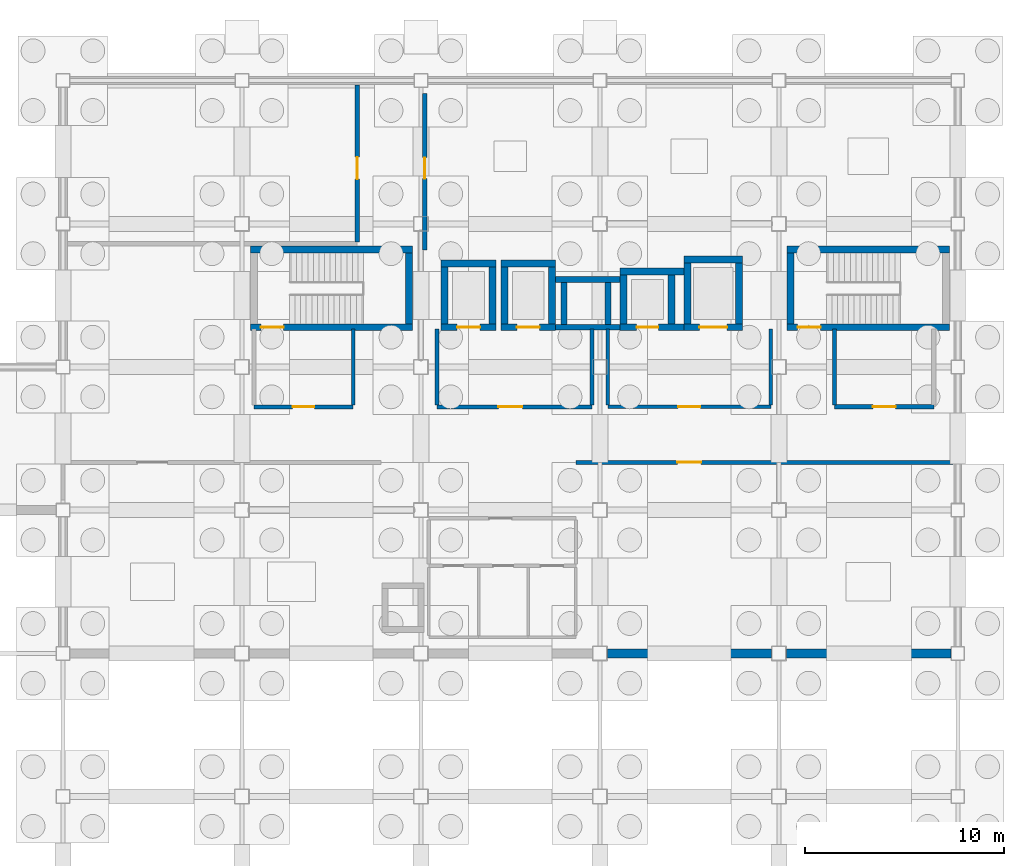
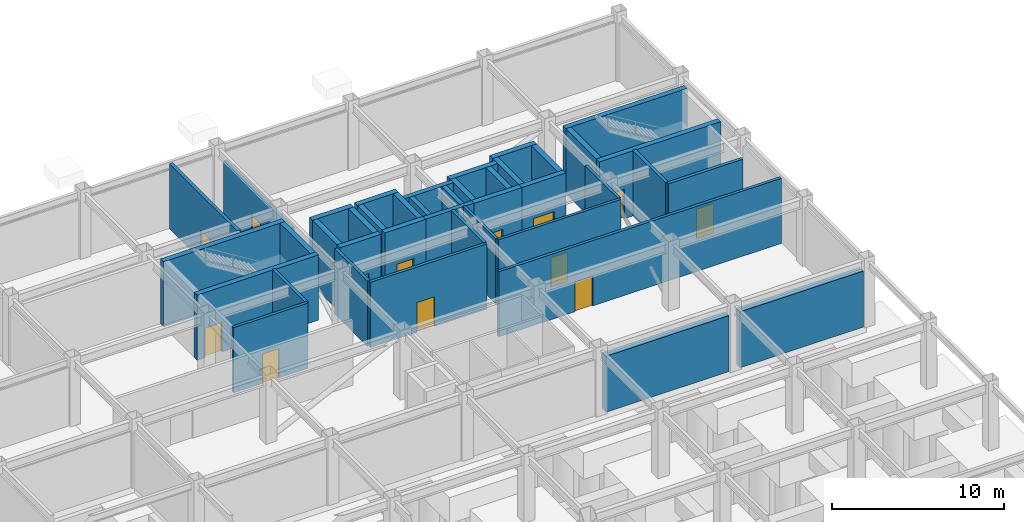
# One storey, part 24 of 28: 41 walls, 13 doors, 13 openings.
"""IFC4 building model written with IfcOpenShell, lengths in metres."""

import ifcopenshell
import ifcopenshell.guid

model = None  # the IFC model being written
_history = None  # IfcOwnerHistory: only IFC2X3 demands one
_inside = {}  # id of a spatial element -> (the spatial element, [elements in it])
_under = {}  # id of a project, library or spatial element -> (it, [spatial elements below it])
_declared = {}  # id of a project -> (the project, [libraries it declares])
_typed = {}  # id of a type object -> (the type object, [elements of that type])
_made_of = {}  # id of a material, layer set ... -> (it, [elements and type objects made of it])


def new_model(schema):
    """Start an empty IFC model of exactly this schema.

    Asked for "IFC4X3", IfcOpenShell would pick the latest addendum, in which some entities
    have other attributes; the version numbers below select the first issue.
    IFC2X3 requires an IfcOwnerHistory on every rooted entity: one is made here for all.
    """
    global model, _history
    if schema == "IFC4X3":
        model = ifcopenshell.file(schema_version=(4, 3, 0, 0))
    else:
        model = ifcopenshell.file(schema=schema)
    _inside.clear()
    _under.clear()
    _declared.clear()
    _typed.clear()
    _made_of.clear()
    _history = None
    if model.schema == "IFC2X3":
        org = make("IfcOrganization", Name="unknown")
        user = make(
            "IfcPersonAndOrganization",
            ThePerson=make("IfcPerson", FamilyName="unknown"),
            TheOrganization=org,
        )
        app = make(
            "IfcApplication",
            ApplicationDeveloper=org,
            Version="unknown",
            ApplicationFullName="unknown",
            ApplicationIdentifier="unknown",
        )
        _history = make(
            "IfcOwnerHistory",
            OwningUser=user,
            OwningApplication=app,
            ChangeAction="ADDED",
            CreationDate=0,
        )
    return model


def make(cls, **values):
    """One entity of the class cls with the attributes given. An attribute that is None is left unset."""
    return model.create_entity(
        cls, **{name: value for name, value in values.items() if value is not None}
    )


def rooted(cls, **values):
    """An entity with a GlobalId (a new one), such as an element, a storey or a relation."""
    return make(cls, GlobalId=ifcopenshell.guid.new(), OwnerHistory=_history, **values)


def si_unit(unit_type, name, prefix=None):
    """IfcSIUnit, for example si_unit("LENGTHUNIT", "METRE", prefix="MILLI")."""
    return make("IfcSIUnit", UnitType=unit_type, Prefix=prefix, Name=name)


def assignment(units):
    """IfcUnitAssignment: the units of a project."""
    return None if units is None else make("IfcUnitAssignment", Units=units)


def point(xyz):
    """IfcCartesianPoint."""
    return None if xyz is None else make("IfcCartesianPoint", Coordinates=xyz)


def direction(xyz):
    """IfcDirection."""
    return None if xyz is None else make("IfcDirection", DirectionRatios=xyz)


def frame(location, z_axis=None, x_axis=None):
    """IfcAxis2Placement3D, a coordinate frame: its origin and axes. An axis left out is left unset."""
    return make(
        "IfcAxis2Placement3D",
        Location=point(location),
        Axis=direction(z_axis),
        RefDirection=direction(x_axis),
    )


def frame_2d(location, x_axis=None):
    """IfcAxis2Placement2D, a coordinate frame in the plane: its origin and x axis."""
    return make(
        "IfcAxis2Placement2D", Location=point(location), RefDirection=direction(x_axis)
    )


def origin():
    """The frame at (0, 0, 0) with its axes left unset."""
    return frame((0.0, 0.0, 0.0))


def place(relative_to, where):
    """IfcLocalPlacement: puts the frame where relative to a parent placement (None: the world)."""
    return make(
        "IfcLocalPlacement", PlacementRelTo=relative_to, RelativePlacement=where
    )


def context(
    kind, dimensions, precision=None, world=None, true_north=None, identifier=None
):
    """IfcGeometricRepresentationContext, for example the 3D "Model" context."""
    return make(
        "IfcGeometricRepresentationContext",
        ContextIdentifier=identifier,
        ContextType=kind,
        CoordinateSpaceDimension=dimensions,
        Precision=precision,
        WorldCoordinateSystem=world,
        TrueNorth=true_north,
    )


def subcontext(parent, identifier, kind, view, scale=None):
    """IfcGeometricRepresentationSubContext, for example "Body" below "Model"."""
    return make(
        "IfcGeometricRepresentationSubContext",
        ContextIdentifier=identifier,
        ContextType=kind,
        ParentContext=parent,
        TargetScale=scale,
        TargetView=view,
    )


def project(units=None, contexts=None):
    """IfcProject with its units and contexts."""
    return rooted(
        "IfcProject",
        Name="project",
        RepresentationContexts=contexts,
        UnitsInContext=assignment(units),
    )


def spatial(cls, under=None, at=None, **own):
    """A site, building, storey or space (cls), placed at a placement, below another one or the project."""
    s = rooted(cls, ObjectPlacement=at, **own)
    if under is not None:
        _under.setdefault(under.id(), (under, []))[1].append(s)
    return s


def profile(cls, at=None, kind="AREA", **sizes):
    """A parametric profile (cls). Its sizes go by their IFC names, for example OverallWidth=200.0."""
    return make(cls, ProfileType=kind, Position=at, **sizes)


def rectangle(**sizes):
    """IfcRectangleProfileDef."""
    return profile("IfcRectangleProfileDef", **sizes)


def extrude(swept, where, along, depth):
    """IfcExtrudedAreaSolid: the profile swept, set in the frame where, extruded along a direction by depth."""
    return make(
        "IfcExtrudedAreaSolid",
        SweptArea=swept,
        Position=where,
        ExtrudedDirection=direction(along),
        Depth=depth,
    )


def shape(context_of_items, identifier, shape_type, items):
    """IfcShapeRepresentation: the items that make up one representation, for example the "Body"."""
    return make(
        "IfcShapeRepresentation",
        ContextOfItems=context_of_items,
        RepresentationIdentifier=identifier,
        RepresentationType=shape_type,
        Items=items,
    )


def material(Name=None, Category=None):
    """IfcMaterial."""
    return make("IfcMaterial", Name=Name, Category=Category)


def layer(
    of_material, thickness, ventilated=None, Name=None, Category=None, Priority=None
):
    """IfcMaterialLayer: one layer of a wall or slab, of a material (None: an air gap)."""
    return make(
        "IfcMaterialLayer",
        Material=of_material,
        LayerThickness=thickness,
        IsVentilated=ventilated,
        Name=Name,
        Category=Category,
        Priority=Priority,
    )


def layer_set(layers, Name=None):
    """IfcMaterialLayerSet."""
    return make("IfcMaterialLayerSet", MaterialLayers=layers, LayerSetName=Name)


def made_of(thing, what):
    """Note that an element or type object is made of a material, layer set ...; save() writes the relation."""
    if what is not None:
        _made_of.setdefault(what.id(), (what, []))[1].append(thing)
    return thing


def type_object(cls, material=None, **own):
    """A type object (cls), such as IfcWallType, which elements share."""
    return made_of(rooted(cls, **own), material)


def element(
    cls,
    number,
    at=None,
    inside=None,
    cuts=None,
    type_object=None,
    material=None,
    context=None,
    identifier="Body",
    shape_type=None,
    held_by="IfcProductDefinitionShape",
    body=None,
    shapes=None,
    **own,
):
    """One element of the class cls, such as IfcWall. Its Tag is "e" and its number.

    at: its placement. inside: the storey or other place that contains it. cuts: it is an
    opening in that element (IfcRelVoidsElement). A single representation is given by context,
    identifier, shape_type and body (its items); several are given by shapes. held_by: the class
    of the entity that holds the representations. save() writes the other relations.
    """
    e = rooted(cls, Tag="e%d" % number, ObjectPlacement=at, **own)
    if body is not None:
        shapes = [shape(context, identifier, shape_type, body)]
    if shapes is not None:
        e.Representation = make(held_by, Representations=shapes)
    if inside is not None:
        _inside.setdefault(inside.id(), (inside, []))[1].append(e)
    if cuts is not None:
        rooted(
            "IfcRelVoidsElement", RelatingBuildingElement=cuts, RelatedOpeningElement=e
        )
    if type_object is not None:
        _typed.setdefault(type_object.id(), (type_object, []))[1].append(e)
    return made_of(e, material)


def fill(opening, filler):
    """IfcRelFillsElement: the door or window that sits in an opening."""
    return rooted(
        "IfcRelFillsElement",
        RelatingOpeningElement=opening,
        RelatedBuildingElement=filler,
    )


def aggregate(whole, parts):
    """IfcRelAggregates: a whole, such as a stair, and the parts it consists of."""
    return rooted("IfcRelAggregates", RelatingObject=whole, RelatedObjects=parts)


def save(model, path):
    """Write the relations noted so far, then the file.

    IfcRelAggregates (storeys below a building ...), IfcRelContainedInSpatialStructure (elements
    in a storey), IfcRelDefinesByType, IfcRelAssociatesMaterial and IfcRelDeclares: one each for
    every whole, place, type object, material and project.
    """
    for whole, parts in _under.values():
        aggregate(whole, parts)
    for where, things in _inside.values():
        rooted(
            "IfcRelContainedInSpatialStructure",
            RelatedElements=things,
            RelatingStructure=where,
        )
    for kind, things in _typed.values():
        rooted("IfcRelDefinesByType", RelatedObjects=things, RelatingType=kind)
    for what, things in _made_of.values():
        rooted("IfcRelAssociatesMaterial", RelatedObjects=things, RelatingMaterial=what)
    for by, libraries in _declared.values():
        rooted("IfcRelDeclares", RelatingContext=by, RelatedDefinitions=libraries)
    model.write(path)


model = new_model("IFC4")

# Units and contexts
model_context = context("Model", 3, precision=1e-05, world=origin(), true_north=direction((0.0, 1.0)))
body_context = subcontext(model_context, "Body", "Model", "MODEL_VIEW")
ifc_project = project(units=[si_unit("LENGTHUNIT", "METRE"), si_unit("AREAUNIT", "SQUARE_METRE"), si_unit("VOLUMEUNIT", "CUBIC_METRE"), si_unit("PLANEANGLEUNIT", "RADIAN"), si_unit("MASSUNIT", "GRAM", prefix="KILO")], contexts=[model_context])

# Site, building, storey
site_placement = place(None, origin())
site = spatial("IfcSite", under=ifc_project, at=site_placement, CompositionType="ELEMENT")
building_placement = place(site_placement, origin())
building = spatial("IfcBuilding", under=site, at=building_placement, Name="Kazanami Central Library", CompositionType="ELEMENT")
storey_placement = place(building_placement, frame((0.0, 0.0, -4.89990234375)))
storey = spatial("IfcBuildingStorey", under=building, at=storey_placement, Name="B01", CompositionType="ELEMENT", Elevation=-4.89990234375)

# Wall, opening, door
ifc_material_1 = material(Name="Fire-Resistant Gypsum Board GB-F", Category="gypsum")
ifc_layer_1 = layer(ifc_material_1, 0.179931640625, Name="Fire-Resistant Gypsum Board GB-F")
ifc_layer_set_1 = layer_set([ifc_layer_1], Name="Fire-Resistant Gypsum Board GB-F")
wall_type_1 = type_object("IfcWallType", Name="WAL-FW-180", PredefinedType="PARTITIONING", material=ifc_layer_set_1)
wall_1_placement = place(storey_placement, frame((144.39990234375, 77.199951171875, 0.0), z_axis=(0.0, 0.0, 1.0), x_axis=(1.0, 0.0, 0.0)))
wall_1 = element("IfcWall", 1, at=wall_1_placement, inside=storey, type_object=wall_type_1, Name="Interior Partition FW-180 B01 LOBBY-V2 (South)", PredefinedType="PARTITIONING", context=body_context, shape_type="SweptSolid", body=[
    extrude(rectangle(XDim=8.2001953125, YDim=0.179931640625, at=frame_2d((4.10009765625, 0.0))), origin(), (0.0, 0.0, 1.0), 4.625),
])
opening_1_placement = place(wall_1_placement, frame((3.5400390625, 0.0, 0.0)))
opening_1 = element("IfcOpeningElement", 2, at=opening_1_placement, cuts=wall_1, Name="Opening FD30-8", PredefinedType="OPENING", context=body_context, shape_type="SweptSolid", body=[
    extrude(rectangle(XDim=1.1201171875, YDim=2.080078125, at=frame_2d((0.56005859375, 1.0400390625))), frame((0.0, 0.10205078125, 0.0), z_axis=(0.0, -1.0, 0.0), x_axis=(1.0, 0.0, 0.0)), (0.0, 0.0, 1.0), 0.203857421875),
])
ifc_material_2 = material(Name="Cold-Rolled Steel SPCC", Category="steel")
door_type_1 = type_object("IfcDoorType", Name="DOR-FD30-8", OperationType="NOTDEFINED", PredefinedType="DOOR", material=ifc_material_2)
door_1_placement = place(opening_1_placement, frame((1.1201171875, 0.0, 0.0), z_axis=(0.0, 0.0, 1.0), x_axis=(-1.0, 0.0, 0.0)))
door_1 = element("IfcDoor", 3, at=door_1_placement, inside=storey, type_object=door_type_1, Name="Interior Door FD30-8 B01 LOBBY-V2", OperationType="SINGLE_SWING_LEFT", OverallHeight=2.080078125, OverallWidth=1.1201171875, PredefinedType="DOOR", context=body_context, shape_type="SweptSolid", body=[
    extrude(rectangle(XDim=1.1201171875, YDim=2.080078125, at=frame_2d((0.56005859375, 1.0400390625))), frame((0.0, 0.02490234375, 0.0), z_axis=(0.0, -1.0, 0.0), x_axis=(1.0, 0.0, 0.0)), (0.0, 0.0, 1.0), 0.050048828125),
])
fill(opening_1, door_1)

# Walls
for number, where, z_axis, x_axis, name in (
    (4, (144.39990234375, 77.2900390625, 0.0), (0.0, 0.0, 1.0), (0.0, 1.0, 0.0), "Interior Partition FW-180 B01 LOBBY-V2 (West)"),
    (5, (152.60009765625, 77.2900390625, 0.0), (0.0, 0.0, 1.0), (0.0, 1.0, 0.0), "Interior Partition FW-180 B01 LOBBY-V2 (East)"),
):
    element("IfcWall", number, at=place(storey_placement, frame(where, z_axis=z_axis, x_axis=x_axis)), inside=storey, type_object=wall_type_1, Name=name, PredefinedType="PARTITIONING", context=body_context, shape_type="SweptSolid", body=[
        extrude(rectangle(XDim=3.820068359375, YDim=0.179931640625, at=frame_2d((1.91015625, 0.0))), origin(), (0.0, 0.0, 1.0), 4.625),
    ])

# Wall, opening, door
ifc_layer_2 = layer(ifc_material_1, 0.199951171875, Name="Fire-Resistant Gypsum Board GB-F")
ifc_layer_set_2 = layer_set([ifc_layer_2], Name="Fire-Resistant Gypsum Board GB-F")
wall_type_2 = type_object("IfcWallType", Name="WAL-FW-200", PredefinedType="PARTITIONING", material=ifc_layer_set_2)
wall_2_placement = place(storey_placement, frame((126.60009765625, 77.199951171875, 0.0), z_axis=(0.0, 0.0, 1.0), x_axis=(1.0, 0.0, 0.0)))
wall_2 = element("IfcWall", 6, at=wall_2_placement, inside=storey, type_object=wall_type_2, Name="Interior Partition FW-200 B01 VEST-ST-01 (South)", PredefinedType="PARTITIONING", context=body_context, shape_type="SweptSolid", body=[
    extrude(rectangle(XDim=5.0, YDim=0.199951171875, at=frame_2d((2.5, 0.0))), origin(), (0.0, 0.0, 1.0), 4.625),
])
opening_2_placement = place(wall_2_placement, frame((1.949951171875, 0.0, 0.0)))
opening_2 = element("IfcOpeningElement", 7, at=opening_2_placement, cuts=wall_2, Name="Opening FD60-3", PredefinedType="OPENING", context=body_context, shape_type="SweptSolid", body=[
    extrude(rectangle(XDim=1.10009765625, YDim=2.080078125, at=frame_2d((0.550048828125, 1.0400390625))), frame((0.0, 0.11181640625, 0.0), z_axis=(0.0, -1.0, 0.0), x_axis=(1.0, 0.0, 0.0)), (0.0, 0.0, 1.0), 0.223876953125),
])
door_type_2 = type_object("IfcDoorType", Name="DOR-FD60-3", OperationType="NOTDEFINED", PredefinedType="DOOR", material=ifc_material_2)
door_2_placement = place(opening_2_placement, origin())
door_2 = element("IfcDoor", 8, at=door_2_placement, inside=storey, type_object=door_type_2, Name="Interior Door FD60-3 B01 VEST-ST-01", OperationType="SINGLE_SWING_RIGHT", OverallHeight=2.080078125, OverallWidth=1.10009765625, PredefinedType="DOOR", context=body_context, shape_type="SweptSolid", body=[
    extrude(rectangle(XDim=1.10009765625, YDim=2.080078125, at=frame_2d((0.550048828125, 1.0400390625))), frame((0.0, 0.02490234375, 0.0), z_axis=(0.0, -1.0, 0.0), x_axis=(1.0, 0.0, 0.0)), (0.0, 0.0, 1.0), 0.050048828125),
])
fill(opening_2, door_2)

# Wall
wall_3_placement = place(storey_placement, frame((131.60009765625, 77.2900390625, 0.0), z_axis=(0.0, 0.0, 1.0), x_axis=(0.0, 1.0, 0.0)))
element("IfcWall", 9, at=wall_3_placement, inside=storey, type_object=wall_type_2, Name="Interior Partition FW-200 B01 VEST-ST-01 (East)", PredefinedType="PARTITIONING", context=body_context, shape_type="SweptSolid", body=[
    extrude(rectangle(XDim=3.820068359375, YDim=0.199951171875, at=frame_2d((1.91015625, 0.0))), origin(), (0.0, 0.0, 1.0), 4.625),
])

# Wall, opening, door
wall_4_placement = place(storey_placement, frame((135.800048828125, 77.199951171875, 0.0), z_axis=(0.0, 0.0, 1.0), x_axis=(1.0, 0.0, 0.0)))
wall_4 = element("IfcWall", 10, at=wall_4_placement, inside=storey, type_object=wall_type_2, Name="Interior Partition FW-200 B01 LOBBY-FF (South)", PredefinedType="PARTITIONING", context=body_context, shape_type="SweptSolid", body=[
    extrude(rectangle(XDim=7.800048828125, YDim=0.199951171875, at=frame_2d((3.89990234375, 0.0))), origin(), (0.0, 0.0, 1.0), 4.625),
])
opening_3_placement = place(wall_4_placement, frame((3.10009765625, 0.0, 0.0)))
opening_3 = element("IfcOpeningElement", 11, at=opening_3_placement, cuts=wall_4, Name="Opening FD60-1", PredefinedType="OPENING", context=body_context, shape_type="SweptSolid", body=[
    extrude(rectangle(XDim=1.199951171875, YDim=2.10009765625, at=frame_2d((0.60009765625, 1.050048828125))), frame((0.0, 0.11181640625, 0.0), z_axis=(0.0, -1.0, 0.0), x_axis=(1.0, 0.0, 0.0)), (0.0, 0.0, 1.0), 0.223876953125),
])
door_type_3 = type_object("IfcDoorType", Name="DOR-FD60-1", OperationType="NOTDEFINED", PredefinedType="DOOR", material=ifc_material_2)
door_3_placement = place(opening_3_placement, frame((1.199951171875, 0.0, 0.0), z_axis=(0.0, 0.0, 1.0), x_axis=(-1.0, 0.0, 0.0)))
door_3 = element("IfcDoor", 12, at=door_3_placement, inside=storey, type_object=door_type_3, Name="Interior Door FD60-1 B01 LOBBY-FF", OperationType="SINGLE_SWING_RIGHT", OverallHeight=2.10009765625, OverallWidth=1.199951171875, PredefinedType="DOOR", context=body_context, shape_type="SweptSolid", body=[
    extrude(rectangle(XDim=1.199951171875, YDim=2.10009765625, at=frame_2d((0.60009765625, 1.050048828125))), frame((0.0, 0.02490234375, 0.0), z_axis=(0.0, -1.0, 0.0), x_axis=(1.0, 0.0, 0.0)), (0.0, 0.0, 1.0), 0.050048828125),
])
fill(opening_3, door_3)

# Walls
for number, where, z_axis, x_axis, name in (
    (13, (135.800048828125, 77.2900390625, 0.0), (0.0, 0.0, 1.0), (0.0, 1.0, 0.0), "Interior Partition FW-200 B01 LOBBY-FF (West)"),
    (14, (143.60009765625, 77.2900390625, 0.0), (0.0, 0.0, 1.0), (0.0, 1.0, 0.0), "Interior Partition FW-200 B01 LOBBY-FF (East)"),
):
    element("IfcWall", number, at=place(storey_placement, frame(where, z_axis=z_axis, x_axis=x_axis)), inside=storey, type_object=wall_type_2, Name=name, PredefinedType="PARTITIONING", context=body_context, shape_type="SweptSolid", body=[
        extrude(rectangle(XDim=3.820068359375, YDim=0.199951171875, at=frame_2d((1.91015625, 0.0))), origin(), (0.0, 0.0, 1.0), 4.625),
    ])

# Wall, opening, door
wall_5_placement = place(storey_placement, frame((142.800048828125, 74.39990234375, 0.0), z_axis=(0.0, 0.0, 1.0), x_axis=(1.0, 0.0, 0.0)))
wall_5 = element("IfcWall", 15, at=wall_5_placement, inside=storey, type_object=wall_type_2, Name="Interior Partition FW-200 B01 RM-12 (North)", PredefinedType="PARTITIONING", context=body_context, shape_type="SweptSolid", body=[
    extrude(rectangle(XDim=18.969970703125, YDim=0.199951171875, at=frame_2d((9.48486328125, 0.0))), origin(), (0.0, 0.0, 1.0), 4.625),
])
opening_4_placement = place(wall_5_placement, frame((5.10009765625, 0.0, 0.0)))
opening_4 = element("IfcOpeningElement", 16, at=opening_4_placement, cuts=wall_5, Name="Opening FD60-1", PredefinedType="OPENING", context=body_context, shape_type="SweptSolid", body=[
    extrude(rectangle(XDim=1.199951171875, YDim=2.10009765625, at=frame_2d((0.60009765625, 1.050048828125))), frame((0.0, 0.11181640625, 0.0), z_axis=(0.0, -1.0, 0.0), x_axis=(1.0, 0.0, 0.0)), (0.0, 0.0, 1.0), 0.223876953125),
])
door_4_placement = place(opening_4_placement, origin())
door_4 = element("IfcDoor", 17, at=door_4_placement, inside=storey, type_object=door_type_3, Name="Interior Door FD60-1 B01 RM-12", OperationType="SINGLE_SWING_LEFT", OverallHeight=2.10009765625, OverallWidth=1.199951171875, PredefinedType="DOOR", context=body_context, shape_type="SweptSolid", body=[
    extrude(rectangle(XDim=1.199951171875, YDim=2.10009765625, at=frame_2d((0.60009765625, 1.050048828125))), frame((0.0, 0.02490234375, 0.0), z_axis=(0.0, -1.0, 0.0), x_axis=(1.0, 0.0, 0.0)), (0.0, 0.0, 1.0), 0.050048828125),
])
fill(opening_4, door_4)

ifc_layer_3 = layer(ifc_material_1, 0.219970703125, Name="Fire-Resistant Gypsum Board GB-F")
ifc_layer_set_3 = layer_set([ifc_layer_3], Name="Fire-Resistant Gypsum Board GB-F")
wall_type_3 = type_object("IfcWallType", Name="WAL-FW-220", PredefinedType="PARTITIONING", material=ifc_layer_set_3)
wall_6_placement = place(storey_placement, frame((155.800048828125, 77.199951171875, 0.0), z_axis=(0.0, 0.0, 1.0), x_axis=(1.0, 0.0, 0.0)))
wall_6 = element("IfcWall", 18, at=wall_6_placement, inside=storey, type_object=wall_type_3, Name="Interior Partition FW-220 B01 VEST-ST-02 (South)", PredefinedType="PARTITIONING", context=body_context, shape_type="SweptSolid", body=[
    extrude(rectangle(XDim=5.0, YDim=0.219970703125, at=frame_2d((2.5, 0.0))), origin(), (0.0, 0.0, 1.0), 4.625),
])
opening_5_placement = place(wall_6_placement, frame((1.925048828125, 0.0, 0.0)))
opening_5 = element("IfcOpeningElement", 19, at=opening_5_placement, cuts=wall_6, Name="Opening FD60-2", PredefinedType="OPENING", context=body_context, shape_type="SweptSolid", body=[
    extrude(rectangle(XDim=1.14990234375, YDim=2.10009765625, at=frame_2d((0.574951171875, 1.050048828125))), frame((0.0, 0.1220703125, 0.0), z_axis=(0.0, -1.0, 0.0), x_axis=(1.0, 0.0, 0.0)), (0.0, 0.0, 1.0), 0.243896484375),
])
door_type_4 = type_object("IfcDoorType", Name="DOR-FD60-2", OperationType="NOTDEFINED", PredefinedType="DOOR", material=ifc_material_2)
door_5_placement = place(opening_5_placement, origin())
door_5 = element("IfcDoor", 20, at=door_5_placement, inside=storey, type_object=door_type_4, Name="Interior Door FD60-2 B01 VEST-ST-02", OperationType="SINGLE_SWING_LEFT", OverallHeight=2.10009765625, OverallWidth=1.14990234375, PredefinedType="DOOR", context=body_context, shape_type="SweptSolid", body=[
    extrude(rectangle(XDim=1.14990234375, YDim=2.10009765625, at=frame_2d((0.574951171875, 1.050048828125))), frame((0.0, 0.02490234375, 0.0), z_axis=(0.0, -1.0, 0.0), x_axis=(1.0, 0.0, 0.0)), (0.0, 0.0, 1.0), 0.050048828125),
])
fill(opening_5, door_5)

# Wall
wall_7_placement = place(storey_placement, frame((155.800048828125, 77.2900390625, 0.0), z_axis=(0.0, 0.0, 1.0), x_axis=(0.0, 1.0, 0.0)))
element("IfcWall", 21, at=wall_7_placement, inside=storey, type_object=wall_type_3, Name="Interior Partition FW-220 B01 VEST-ST-02 (West)", PredefinedType="PARTITIONING", context=body_context, shape_type="SweptSolid", body=[
    extrude(rectangle(XDim=3.820068359375, YDim=0.219970703125, at=frame_2d((1.91015625, 0.0))), origin(), (0.0, 0.0, 1.0), 4.625),
])

# Wall, opening, door
wall_8_placement = place(storey_placement, frame((131.800048828125, 85.489990234375, 0.0), z_axis=(0.0, 0.0, 1.0), x_axis=(0.0, 1.0, 0.0)))
wall_8 = element("IfcWall", 22, at=wall_8_placement, inside=storey, type_object=wall_type_3, Name="Interior Partition FW-220 B01 RM-13 (East)", PredefinedType="PARTITIONING", context=body_context, shape_type="SweptSolid", body=[
    extrude(rectangle(XDim=7.880126953125, YDim=0.219970703125, at=frame_2d((3.93994140625, 0.0))), origin(), (0.0, 0.0, 1.0), 4.625),
])
opening_6_placement = place(wall_8_placement, frame((3.159912109375, 0.0, 0.0)))
opening_6 = element("IfcOpeningElement", 23, at=opening_6_placement, cuts=wall_8, Name="Opening FD60-3", PredefinedType="OPENING", context=body_context, shape_type="SweptSolid", body=[
    extrude(rectangle(XDim=1.10009765625, YDim=2.080078125, at=frame_2d((0.550048828125, 1.0400390625))), frame((0.0, 0.1220703125, 0.0), z_axis=(0.0, -1.0, 0.0), x_axis=(1.0, 0.0, 0.0)), (0.0, 0.0, 1.0), 0.243896484375),
])
door_6_placement = place(opening_6_placement, origin())
door_6 = element("IfcDoor", 24, at=door_6_placement, inside=storey, type_object=door_type_2, Name="Interior Door FD60-3 B01 RM-13", OperationType="SINGLE_SWING_RIGHT", OverallHeight=2.080078125, OverallWidth=1.10009765625, PredefinedType="DOOR", context=body_context, shape_type="SweptSolid", body=[
    extrude(rectangle(XDim=1.10009765625, YDim=2.080078125, at=frame_2d((0.550048828125, 1.0400390625))), frame((0.0, 0.02490234375, 0.0), z_axis=(0.0, -1.0, 0.0), x_axis=(1.0, 0.0, 0.0)), (0.0, 0.0, 1.0), 0.050048828125),
])
fill(opening_6, door_6)

wall_9_placement = place(storey_placement, frame((135.199951171875, 85.090087890625, 0.0), z_axis=(0.0, 0.0, 1.0), x_axis=(0.0, 1.0, 0.0)))
wall_9 = element("IfcWall", 25, at=wall_9_placement, inside=storey, type_object=wall_type_3, Name="Interior Partition FW-220 B01 RM-14 (West)", PredefinedType="PARTITIONING", context=body_context, shape_type="SweptSolid", body=[
    extrude(rectangle(XDim=7.85986328125, YDim=0.219970703125, at=frame_2d((3.929931640625, 0.0))), origin(), (0.0, 0.0, 1.0), 3.90478515625),
])
opening_7_placement = place(wall_9_placement, frame((3.5849609375, 0.0, 0.0)))
opening_7 = element("IfcOpeningElement", 26, at=opening_7_placement, cuts=wall_9, Name="Opening FD60-8", PredefinedType="OPENING", context=body_context, shape_type="SweptSolid", body=[
    extrude(rectangle(XDim=1.050048828125, YDim=2.02001953125, at=frame_2d((0.52490234375, 1.010009765625))), frame((0.0, 0.1220703125, 0.0), z_axis=(0.0, -1.0, 0.0), x_axis=(1.0, 0.0, 0.0)), (0.0, 0.0, 1.0), 0.243896484375),
])
door_type_5 = type_object("IfcDoorType", Name="DOR-FD60-8", OperationType="NOTDEFINED", PredefinedType="DOOR", material=ifc_material_2)
door_7_placement = place(opening_7_placement, origin())
door_7 = element("IfcDoor", 27, at=door_7_placement, inside=storey, type_object=door_type_5, Name="Interior Door FD60-8 B01 RM-14", OperationType="SINGLE_SWING_LEFT", OverallHeight=2.02001953125, OverallWidth=1.050048828125, PredefinedType="DOOR", context=body_context, shape_type="SweptSolid", body=[
    extrude(rectangle(XDim=1.050048828125, YDim=2.02001953125, at=frame_2d((0.52490234375, 1.010009765625))), frame((0.0, 0.02490234375, 0.0), z_axis=(0.0, -1.0, 0.0), x_axis=(1.0, 0.0, 0.0)), (0.0, 0.0, 1.0), 0.050048828125),
])
fill(opening_7, door_7)

# Walls
ifc_material_3 = material(Name="Concrete Fc36 (36 MPa)", Category="concrete")
ifc_layer_4 = layer(ifc_material_3, 0.449951171875, Name="Concrete Fc36 (36 MPa)")
ifc_layer_set_4 = layer_set([ifc_layer_4], Name="Concrete Fc36 (36 MPa)")
wall_type_4 = type_object("IfcWallType", Name="WAL-RW-450", PredefinedType="SOLIDWALL", material=ifc_layer_set_4)
wall_10_placement = place(storey_placement, frame((144.375, 64.800048828125, 0.0), z_axis=(0.0, 0.0, 1.0), x_axis=(1.0, 0.0, 0.0)))
element("IfcWall", 28, at=wall_10_placement, inside=storey, type_object=wall_type_4, Name="Basement Retaining Wall RW-450 S-K-17", PredefinedType="SOLIDWALL", context=body_context, shape_type="SweptSolid", body=[
    extrude(rectangle(XDim=8.25, YDim=0.449951171875, at=frame_2d((4.125, 0.0))), origin(), (0.0, 0.0, 1.0), 3.974853515625),
])
wall_11_placement = place(storey_placement, frame((153.375, 64.800048828125, 0.0), z_axis=(0.0, 0.0, 1.0), x_axis=(1.0, 0.0, 0.0)))
element("IfcWall", 29, at=wall_11_placement, inside=storey, type_object=wall_type_4, Name="Basement Retaining Wall RW-450 S-K-18", PredefinedType="SOLIDWALL", context=body_context, shape_type="SweptSolid", body=[
    extrude(rectangle(XDim=8.27490234375, YDim=0.449951171875, at=frame_2d((4.137451171875, 0.0))), origin(), (0.0, 0.0, 1.0), 3.974853515625),
])
ifc_layer_5 = layer(ifc_material_3, 0.300048828125, Name="Concrete Fc36 (36 MPa)")
ifc_layer_set_5 = layer_set([ifc_layer_5], Name="Concrete Fc36 (36 MPa)")
wall_type_5 = type_object("IfcWallType", Name="WAL-SW-300", PredefinedType="SHEAR", material=ifc_layer_set_5)
for number, where, z_axis, x_axis, name in (
    (30, (141.77490234375, 81.199951171875, 0.0), (0.0, 0.0, 1.0), (1.0, 0.0, 0.0), "Service Riser Wall RSR-V2-A S B01"),
    (31, (141.77490234375, 83.60009765625, 0.0), (0.0, 0.0, 1.0), (1.0, 0.0, 0.0), "Service Riser Wall RSR-V2-A N B01"),
):
    element("IfcWall", number, at=place(storey_placement, frame(where, z_axis=z_axis, x_axis=x_axis)), inside=storey, type_object=wall_type_5, Name=name, PredefinedType="SHEAR", context=body_context, shape_type="SweptSolid", body=[
        extrude(rectangle(XDim=3.25, YDim=0.300048828125, at=frame_2d((1.625, 0.0))), origin(), (0.0, 0.0, 1.0), 4.625),
    ])
for number, where, z_axis, x_axis, name in (
    (32, (142.199951171875, 81.35009765625, 0.0), (0.0, 0.0, 1.0), (0.0, 1.0, 0.0), "Service Riser Wall RSR-V2-A W B01"),
    (33, (144.39990234375, 81.35009765625, 0.0), (0.0, 0.0, 1.0), (0.0, 1.0, 0.0), "Service Riser Wall RSR-V2-A E B01"),
):
    element("IfcWall", number, at=place(storey_placement, frame(where, z_axis=z_axis, x_axis=x_axis)), inside=storey, type_object=wall_type_5, Name=name, PredefinedType="SHEAR", context=body_context, shape_type="SweptSolid", body=[
        extrude(rectangle(XDim=2.099853515625, YDim=0.300048828125, at=frame_2d((1.0498046875, 0.0))), origin(), (0.0, 0.0, 1.0), 4.625),
    ])

# Wall, opening, door
ifc_layer_6 = layer(ifc_material_3, 0.35009765625, Name="Concrete Fc36 (36 MPa)")
ifc_layer_set_6 = layer_set([ifc_layer_6], Name="Concrete Fc36 (36 MPa)")
wall_type_6 = type_object("IfcWallType", Name="WAL-SW-350", PredefinedType="SHEAR", material=ifc_layer_set_6)
wall_12_placement = place(storey_placement, frame((126.425048828125, 81.199951171875, 0.0), z_axis=(0.0, 0.0, 1.0), x_axis=(1.0, 0.0, 0.0)))
wall_12 = element("IfcWall", 34, at=wall_12_placement, inside=storey, type_object=wall_type_6, Name="Stair Core Wall ST-01 South B01", PredefinedType="SHEAR", context=body_context, shape_type="SweptSolid", body=[
    extrude(rectangle(XDim=8.14990234375, YDim=0.35009765625, at=frame_2d((4.074951171875, 0.0))), origin(), (0.0, 0.0, 1.0), 4.625),
])
opening_8_placement = place(wall_12_placement, frame((0.52490234375, 0.0, 0.0)))
opening_8 = element("IfcOpeningElement", 35, at=opening_8_placement, cuts=wall_12, Name="Opening FD60-2", PredefinedType="OPENING", context=body_context, shape_type="SweptSolid", body=[
    extrude(rectangle(XDim=1.14990234375, YDim=2.10009765625, at=frame_2d((0.574951171875, 1.050048828125))), frame((0.0, 0.18701171875, 0.0), z_axis=(0.0, -1.0, 0.0), x_axis=(1.0, 0.0, 0.0)), (0.0, 0.0, 1.0), 0.3740234375),
])
door_8_placement = place(opening_8_placement, origin())
door_8 = element("IfcDoor", 36, at=door_8_placement, inside=storey, type_object=door_type_4, Name="Escape Stair ST-01 Fire Door B01", OperationType="SINGLE_SWING_LEFT", OverallHeight=2.10009765625, OverallWidth=1.14990234375, PredefinedType="DOOR", context=body_context, shape_type="SweptSolid", body=[
    extrude(rectangle(XDim=1.14990234375, YDim=2.10009765625, at=frame_2d((0.574951171875, 1.050048828125))), frame((0.0, 0.02490234375, 0.0), z_axis=(0.0, -1.0, 0.0), x_axis=(1.0, 0.0, 0.0)), (0.0, 0.0, 1.0), 0.050048828125),
])
fill(opening_8, door_8)

# Walls
wall_13_placement = place(storey_placement, frame((126.425048828125, 85.10009765625, 0.0), z_axis=(0.0, 0.0, 1.0), x_axis=(1.0, 0.0, 0.0)))
element("IfcWall", 37, at=wall_13_placement, inside=storey, type_object=wall_type_6, Name="Stair Core Wall ST-01 North B01", PredefinedType="SHEAR", context=body_context, shape_type="SweptSolid", body=[
    extrude(rectangle(XDim=8.14990234375, YDim=0.35009765625, at=frame_2d((4.074951171875, 0.0))), origin(), (0.0, 0.0, 1.0), 4.625),
])
wall_14_placement = place(storey_placement, frame((134.39990234375, 81.375, 0.0), z_axis=(0.0, 0.0, 1.0), x_axis=(0.0, 1.0, 0.0)))
element("IfcWall", 38, at=wall_14_placement, inside=storey, type_object=wall_type_6, Name="Stair Core Wall ST-01 East B01", PredefinedType="SHEAR", context=body_context, shape_type="SweptSolid", body=[
    extrude(rectangle(XDim=3.550048828125, YDim=0.35009765625, at=frame_2d((1.77490234375, 0.0))), origin(), (0.0, 0.0, 1.0), 4.625),
])

# Wall, opening, door
wall_15_placement = place(storey_placement, frame((153.425048828125, 81.199951171875, 0.0), z_axis=(0.0, 0.0, 1.0), x_axis=(1.0, 0.0, 0.0)))
wall_15 = element("IfcWall", 39, at=wall_15_placement, inside=storey, type_object=wall_type_6, Name="Stair Core Wall ST-02 South B01", PredefinedType="SHEAR", context=body_context, shape_type="SweptSolid", body=[
    extrude(rectangle(XDim=8.14990234375, YDim=0.35009765625, at=frame_2d((4.074951171875, 0.0))), origin(), (0.0, 0.0, 1.0), 4.625),
])
opening_9_placement = place(wall_15_placement, frame((0.52490234375, 0.0, 0.0)))
opening_9 = element("IfcOpeningElement", 40, at=opening_9_placement, cuts=wall_15, Name="Opening FD60-2", PredefinedType="OPENING", context=body_context, shape_type="SweptSolid", body=[
    extrude(rectangle(XDim=1.14990234375, YDim=2.10009765625, at=frame_2d((0.574951171875, 1.050048828125))), frame((0.0, 0.18701171875, 0.0), z_axis=(0.0, -1.0, 0.0), x_axis=(1.0, 0.0, 0.0)), (0.0, 0.0, 1.0), 0.3740234375),
])
door_9_placement = place(opening_9_placement, origin())
door_9 = element("IfcDoor", 41, at=door_9_placement, inside=storey, type_object=door_type_4, Name="Escape Stair ST-02 Fire Door B01", OperationType="SINGLE_SWING_LEFT", OverallHeight=2.10009765625, OverallWidth=1.14990234375, PredefinedType="DOOR", context=body_context, shape_type="SweptSolid", body=[
    extrude(rectangle(XDim=1.14990234375, YDim=2.10009765625, at=frame_2d((0.574951171875, 1.050048828125))), frame((0.0, 0.02490234375, 0.0), z_axis=(0.0, -1.0, 0.0), x_axis=(1.0, 0.0, 0.0)), (0.0, 0.0, 1.0), 0.050048828125),
])
fill(opening_9, door_9)

# Walls
wall_16_placement = place(storey_placement, frame((153.425048828125, 85.10009765625, 0.0), z_axis=(0.0, 0.0, 1.0), x_axis=(1.0, 0.0, 0.0)))
element("IfcWall", 42, at=wall_16_placement, inside=storey, type_object=wall_type_6, Name="Stair Core Wall ST-02 North B01", PredefinedType="SHEAR", context=body_context, shape_type="SweptSolid", body=[
    extrude(rectangle(XDim=8.14990234375, YDim=0.35009765625, at=frame_2d((4.074951171875, 0.0))), origin(), (0.0, 0.0, 1.0), 4.625),
])
wall_17_placement = place(storey_placement, frame((153.60009765625, 81.375, 0.0), z_axis=(0.0, 0.0, 1.0), x_axis=(0.0, 1.0, 0.0)))
element("IfcWall", 43, at=wall_17_placement, inside=storey, type_object=wall_type_6, Name="Stair Core Wall ST-02 West B01", PredefinedType="SHEAR", context=body_context, shape_type="SweptSolid", body=[
    extrude(rectangle(XDim=3.550048828125, YDim=0.35009765625, at=frame_2d((1.77490234375, 0.0))), origin(), (0.0, 0.0, 1.0), 4.625),
])

# Wall, opening, door
wall_18_placement = place(storey_placement, frame((136.02490234375, 81.199951171875, 0.0), z_axis=(0.0, 0.0, 1.0), x_axis=(1.0, 0.0, 0.0)))
wall_18 = element("IfcWall", 44, at=wall_18_placement, inside=storey, type_object=wall_type_6, Name="Lift Shaft Wall EL-F1 South B01", PredefinedType="SHEAR", context=body_context, shape_type="SweptSolid", body=[
    extrude(rectangle(XDim=2.75, YDim=0.35009765625, at=frame_2d((1.375, 0.0))), origin(), (0.0, 0.0, 1.0), 4.625),
])
opening_10_placement = place(wall_18_placement, frame((0.800048828125, 0.0, 0.0)))
opening_10 = element("IfcOpeningElement", 45, at=opening_10_placement, cuts=wall_18, Name="Opening LD-02", PredefinedType="OPENING", context=body_context, shape_type="SweptSolid", body=[
    extrude(rectangle(XDim=1.14990234375, YDim=2.1201171875, at=frame_2d((0.574951171875, 1.06005859375))), frame((0.0, 0.18701171875, 0.0), z_axis=(0.0, -1.0, 0.0), x_axis=(1.0, 0.0, 0.0)), (0.0, 0.0, 1.0), 0.3740234375),
])
ifc_material_4 = material(Name="Stainless Steel SUS304", Category="steel")
door_type_6 = type_object("IfcDoorType", Name="DOR-LD-02", OperationType="SLIDING_TO_LEFT", PredefinedType="DOOR", material=ifc_material_4)
door_10_placement = place(opening_10_placement, origin())
door_10 = element("IfcDoor", 46, at=door_10_placement, inside=storey, type_object=door_type_6, Name="Lift Landing Sliding Door EL-F1 (B01)", OperationType="SLIDING_TO_LEFT", OverallHeight=2.1201171875, OverallWidth=1.14990234375, PredefinedType="DOOR", context=body_context, shape_type="SweptSolid", body=[
    extrude(rectangle(XDim=1.14990234375, YDim=2.1201171875, at=frame_2d((0.574951171875, 1.06005859375))), frame((0.0, 0.02490234375, 0.0), z_axis=(0.0, -1.0, 0.0), x_axis=(1.0, 0.0, 0.0)), (0.0, 0.0, 1.0), 0.050048828125),
])
fill(opening_10, door_10)

# Walls
wall_19_placement = place(storey_placement, frame((136.02490234375, 84.39990234375, 0.0), z_axis=(0.0, 0.0, 1.0), x_axis=(1.0, 0.0, 0.0)))
element("IfcWall", 47, at=wall_19_placement, inside=storey, type_object=wall_type_6, Name="Lift Shaft Wall EL-F1 North B01", PredefinedType="SHEAR", context=body_context, shape_type="SweptSolid", body=[
    extrude(rectangle(XDim=2.75, YDim=0.35009765625, at=frame_2d((1.375, 0.0))), origin(), (0.0, 0.0, 1.0), 4.625),
])
for number, where, z_axis, x_axis, name in (
    (48, (136.199951171875, 81.375, 0.0), (0.0, 0.0, 1.0), (0.0, 1.0, 0.0), "Lift Shaft Wall EL-F1 West B01"),
    (49, (138.60009765625, 81.375, 0.0), (0.0, 0.0, 1.0), (0.0, 1.0, 0.0), "Lift Shaft Wall EL-F1 East B01"),
):
    element("IfcWall", number, at=place(storey_placement, frame(where, z_axis=z_axis, x_axis=x_axis)), inside=storey, type_object=wall_type_6, Name=name, PredefinedType="SHEAR", context=body_context, shape_type="SweptSolid", body=[
        extrude(rectangle(XDim=2.85009765625, YDim=0.35009765625, at=frame_2d((1.425048828125, 0.0))), origin(), (0.0, 0.0, 1.0), 4.625),
    ])

# Wall, opening, door
wall_20_placement = place(storey_placement, frame((139.02490234375, 81.199951171875, 0.0), z_axis=(0.0, 0.0, 1.0), x_axis=(1.0, 0.0, 0.0)))
wall_20 = element("IfcWall", 50, at=wall_20_placement, inside=storey, type_object=wall_type_6, Name="Lift Shaft Wall EL-F2 South B01", PredefinedType="SHEAR", context=body_context, shape_type="SweptSolid", body=[
    extrude(rectangle(XDim=2.75, YDim=0.35009765625, at=frame_2d((1.375, 0.0))), origin(), (0.0, 0.0, 1.0), 4.625),
])
opening_11_placement = place(wall_20_placement, frame((0.800048828125, 0.0, 0.0)))
opening_11 = element("IfcOpeningElement", 51, at=opening_11_placement, cuts=wall_20, Name="Opening LD-02", PredefinedType="OPENING", context=body_context, shape_type="SweptSolid", body=[
    extrude(rectangle(XDim=1.14990234375, YDim=2.1201171875, at=frame_2d((0.574951171875, 1.06005859375))), frame((0.0, 0.18701171875, 0.0), z_axis=(0.0, -1.0, 0.0), x_axis=(1.0, 0.0, 0.0)), (0.0, 0.0, 1.0), 0.3740234375),
])
door_11_placement = place(opening_11_placement, origin())
door_11 = element("IfcDoor", 52, at=door_11_placement, inside=storey, type_object=door_type_6, Name="Lift Landing Sliding Door EL-F2 (B01)", OperationType="SLIDING_TO_LEFT", OverallHeight=2.1201171875, OverallWidth=1.14990234375, PredefinedType="DOOR", context=body_context, shape_type="SweptSolid", body=[
    extrude(rectangle(XDim=1.14990234375, YDim=2.1201171875, at=frame_2d((0.574951171875, 1.06005859375))), frame((0.0, 0.02490234375, 0.0), z_axis=(0.0, -1.0, 0.0), x_axis=(1.0, 0.0, 0.0)), (0.0, 0.0, 1.0), 0.050048828125),
])
fill(opening_11, door_11)

# Walls
wall_21_placement = place(storey_placement, frame((139.02490234375, 84.39990234375, 0.0), z_axis=(0.0, 0.0, 1.0), x_axis=(1.0, 0.0, 0.0)))
element("IfcWall", 53, at=wall_21_placement, inside=storey, type_object=wall_type_6, Name="Lift Shaft Wall EL-F2 North B01", PredefinedType="SHEAR", context=body_context, shape_type="SweptSolid", body=[
    extrude(rectangle(XDim=2.75, YDim=0.35009765625, at=frame_2d((1.375, 0.0))), origin(), (0.0, 0.0, 1.0), 4.625),
])
for number, where, z_axis, x_axis, name in (
    (54, (139.199951171875, 81.375, 0.0), (0.0, 0.0, 1.0), (0.0, 1.0, 0.0), "Lift Shaft Wall EL-F2 West B01"),
    (55, (141.60009765625, 81.375, 0.0), (0.0, 0.0, 1.0), (0.0, 1.0, 0.0), "Lift Shaft Wall EL-F2 East B01"),
):
    element("IfcWall", number, at=place(storey_placement, frame(where, z_axis=z_axis, x_axis=x_axis)), inside=storey, type_object=wall_type_6, Name=name, PredefinedType="SHEAR", context=body_context, shape_type="SweptSolid", body=[
        extrude(rectangle(XDim=2.85009765625, YDim=0.35009765625, at=frame_2d((1.425048828125, 0.0))), origin(), (0.0, 0.0, 1.0), 4.625),
    ])

# Wall, opening, door
wall_22_placement = place(storey_placement, frame((145.02490234375, 81.199951171875, 0.0), z_axis=(0.0, 0.0, 1.0), x_axis=(1.0, 0.0, 0.0)))
wall_22 = element("IfcWall", 56, at=wall_22_placement, inside=storey, type_object=wall_type_6, Name="Lift Shaft Wall EL-P1 South B01", PredefinedType="SHEAR", context=body_context, shape_type="SweptSolid", body=[
    extrude(rectangle(XDim=3.2001953125, YDim=0.35009765625, at=frame_2d((1.60009765625, 0.0))), origin(), (0.0, 0.0, 1.0), 4.625),
])
opening_12_placement = place(wall_22_placement, frame((0.824951171875, 0.0, 0.0)))
opening_12 = element("IfcOpeningElement", 57, at=opening_12_placement, cuts=wall_22, Name="Opening LD-01", PredefinedType="OPENING", context=body_context, shape_type="SweptSolid", body=[
    extrude(rectangle(XDim=1.10009765625, YDim=2.10009765625, at=frame_2d((0.550048828125, 1.050048828125))), frame((0.0, 0.18701171875, 0.0), z_axis=(0.0, -1.0, 0.0), x_axis=(1.0, 0.0, 0.0)), (0.0, 0.0, 1.0), 0.3740234375),
])
door_type_7 = type_object("IfcDoorType", Name="DOR-LD-01", OperationType="SLIDING_TO_LEFT", PredefinedType="DOOR", material=ifc_material_4)
door_12_placement = place(opening_12_placement, origin())
door_12 = element("IfcDoor", 58, at=door_12_placement, inside=storey, type_object=door_type_7, Name="Lift Landing Sliding Door EL-P1 (B01)", OperationType="SLIDING_TO_LEFT", OverallHeight=2.10009765625, OverallWidth=1.10009765625, PredefinedType="DOOR", context=body_context, shape_type="SweptSolid", body=[
    extrude(rectangle(XDim=1.10009765625, YDim=2.10009765625, at=frame_2d((0.550048828125, 1.050048828125))), frame((0.0, 0.02490234375, 0.0), z_axis=(0.0, -1.0, 0.0), x_axis=(1.0, 0.0, 0.0)), (0.0, 0.0, 1.0), 0.050048828125),
])
fill(opening_12, door_12)

# Walls
wall_23_placement = place(storey_placement, frame((145.02490234375, 84.0, 0.0), z_axis=(0.0, 0.0, 1.0), x_axis=(1.0, 0.0, 0.0)))
element("IfcWall", 59, at=wall_23_placement, inside=storey, type_object=wall_type_6, Name="Lift Shaft Wall EL-P1 North B01", PredefinedType="SHEAR", context=body_context, shape_type="SweptSolid", body=[
    extrude(rectangle(XDim=3.2001953125, YDim=0.35009765625, at=frame_2d((1.60009765625, 0.0))), origin(), (0.0, 0.0, 1.0), 4.625),
])
for number, where, z_axis, x_axis, name in (
    (60, (145.199951171875, 81.375, 0.0), (0.0, 0.0, 1.0), (0.0, 1.0, 0.0), "Lift Shaft Wall EL-P1 West B01"),
    (61, (147.60009765625, 81.375, 0.0), (0.0, 0.0, 1.0), (0.0, 1.0, 0.0), "Lift Shaft Wall EL-P1 East B01"),
):
    element("IfcWall", number, at=place(storey_placement, frame(where, z_axis=z_axis, x_axis=x_axis)), inside=storey, type_object=wall_type_6, Name=name, PredefinedType="SHEAR", context=body_context, shape_type="SweptSolid", body=[
        extrude(rectangle(XDim=2.449951171875, YDim=0.35009765625, at=frame_2d((1.22509765625, 0.0))), origin(), (0.0, 0.0, 1.0), 4.625),
    ])

# Wall, opening, door
wall_24_placement = place(storey_placement, frame((148.22509765625, 81.199951171875, 0.0), z_axis=(0.0, 0.0, 1.0), x_axis=(1.0, 0.0, 0.0)))
wall_24 = element("IfcWall", 62, at=wall_24_placement, inside=storey, type_object=wall_type_6, Name="Lift Shaft Wall EL-S1 South B01", PredefinedType="SHEAR", context=body_context, shape_type="SweptSolid", body=[
    extrude(rectangle(XDim=2.949951171875, YDim=0.35009765625, at=frame_2d((1.47509765625, 0.0))), origin(), (0.0, 0.0, 1.0), 4.625),
])
opening_13_placement = place(wall_24_placement, frame((0.77490234375, 0.0, 0.0)))
opening_13 = element("IfcOpeningElement", 63, at=opening_13_placement, cuts=wall_24, Name="Opening LD-03", PredefinedType="OPENING", context=body_context, shape_type="SweptSolid", body=[
    extrude(rectangle(XDim=1.39990234375, YDim=2.14990234375, at=frame_2d((0.699951171875, 1.074951171875))), frame((0.0, 0.18701171875, 0.0), z_axis=(0.0, -1.0, 0.0), x_axis=(1.0, 0.0, 0.0)), (0.0, 0.0, 1.0), 0.3740234375),
])
door_type_8 = type_object("IfcDoorType", Name="DOR-LD-03", OperationType="SLIDING_TO_LEFT", PredefinedType="DOOR", material=ifc_material_4)
door_13_placement = place(opening_13_placement, origin())
door_13 = element("IfcDoor", 64, at=door_13_placement, inside=storey, type_object=door_type_8, Name="Lift Landing Sliding Door EL-S1 (B01)", OperationType="SLIDING_TO_LEFT", OverallHeight=2.14990234375, OverallWidth=1.39990234375, PredefinedType="DOOR", context=body_context, shape_type="SweptSolid", body=[
    extrude(rectangle(XDim=1.39990234375, YDim=2.14990234375, at=frame_2d((0.699951171875, 1.074951171875))), frame((0.0, 0.02490234375, 0.0), z_axis=(0.0, -1.0, 0.0), x_axis=(1.0, 0.0, 0.0)), (0.0, 0.0, 1.0), 0.050048828125),
])
fill(opening_13, door_13)

# Walls
wall_25_placement = place(storey_placement, frame((148.22509765625, 84.60009765625, 0.0), z_axis=(0.0, 0.0, 1.0), x_axis=(1.0, 0.0, 0.0)))
element("IfcWall", 65, at=wall_25_placement, inside=storey, type_object=wall_type_6, Name="Lift Shaft Wall EL-S1 North B01", PredefinedType="SHEAR", context=body_context, shape_type="SweptSolid", body=[
    extrude(rectangle(XDim=2.949951171875, YDim=0.35009765625, at=frame_2d((1.47509765625, 0.0))), origin(), (0.0, 0.0, 1.0), 4.625),
])
for number, where, z_axis, x_axis, name in (
    (66, (148.39990234375, 81.375, 0.0), (0.0, 0.0, 1.0), (0.0, 1.0, 0.0), "Lift Shaft Wall EL-S1 West B01"),
    (67, (151.0, 81.375, 0.0), (0.0, 0.0, 1.0), (0.0, 1.0, 0.0), "Lift Shaft Wall EL-S1 East B01"),
):
    element("IfcWall", number, at=place(storey_placement, frame(where, z_axis=z_axis, x_axis=x_axis)), inside=storey, type_object=wall_type_6, Name=name, PredefinedType="SHEAR", context=body_context, shape_type="SweptSolid", body=[
        extrude(rectangle(XDim=3.050048828125, YDim=0.35009765625, at=frame_2d((1.52490234375, 0.0))), origin(), (0.0, 0.0, 1.0), 4.625),
    ])

save(model, "model.ifc")
